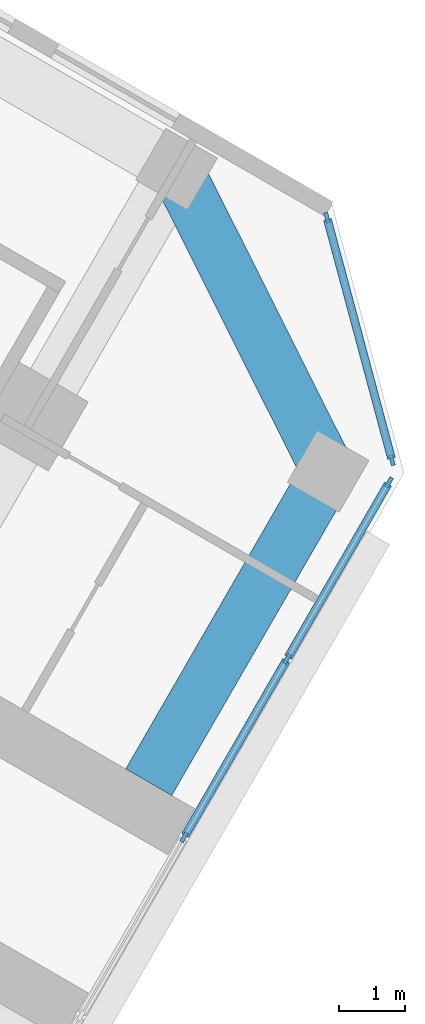
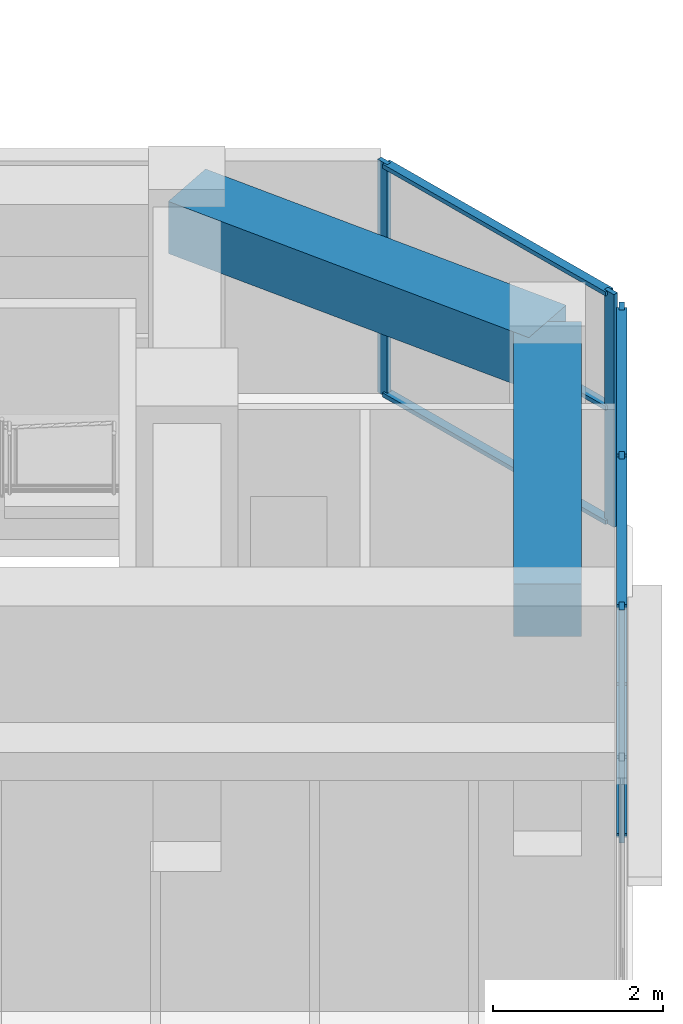
# One storey, part 8 of 19: 12 members, 2 beams, 2 elements without a shape of their own.
"""IFC4 building model written with IfcOpenShell, lengths in metres."""

from ifc_helpers import new_model, si_unit, direction, frame, origin, origin_2d, place, context, subcontext, project, spatial, rectangle, extrude, material, material_profile, profile_set, type_object, element, aggregate, save


model = new_model("IFC4")

# Units and contexts
model_context = context("Model", 3, precision=1e-05, world=origin(), true_north=direction((0.0, 1.0)))
body_context = subcontext(model_context, "Body", "Model", "MODEL_VIEW")
ifc_project = project(units=[si_unit("LENGTHUNIT", "METRE"), si_unit("AREAUNIT", "SQUARE_METRE"), si_unit("VOLUMEUNIT", "CUBIC_METRE"), si_unit("PLANEANGLEUNIT", "RADIAN"), si_unit("MASSUNIT", "GRAM", prefix="KILO")], contexts=[model_context])

# Site, building, storey
site_placement = place(None, origin())
site = spatial("IfcSite", under=ifc_project, at=site_placement, CompositionType="ELEMENT")
building_placement = place(site_placement, origin())
building = spatial("IfcBuilding", under=site, at=building_placement, Name="Kosmar Iwan School Tower", CompositionType="ELEMENT")
storey_placement = place(building_placement, frame((0.0, 0.0, 165.199951171875)))
storey = spatial("IfcBuildingStorey", under=building, at=storey_placement, Name="L41", CompositionType="ELEMENT", Elevation=165.199951171875)

# Curtain wall, members
ifc_material_1 = material(Name="Dark glass in black aluminium frame", Category="aluminium")
curtain_wall_type_1 = type_object("IfcCurtainWallType", Name="Tower curtain wall dark glass", PredefinedType="USERDEFINED", material=ifc_material_1)
curtain_wall_1_placement = place(storey_placement, origin())
curtain_wall_1 = element("IfcCurtainWall", 1, at=curtain_wall_1_placement, inside=storey, type_object=curtain_wall_type_1, Name="Curtain wall L41-F03", ObjectType="UNITISED CURTAIN WALL", PredefinedType="USERDEFINED")
ifc_material_2 = material(Name="Black anodised aluminium", Category="aluminium")
ifc_material_profile_1 = material_profile(ifc_material_2, rectangle(XDim=0.06005859375, YDim=0.159912109375, at=origin_2d()), Name="MULLION 60x160")
ifc_profile_set_1 = profile_set([ifc_material_profile_1], Name="Black anodised aluminium")
member_type_1 = type_object("IfcMemberType", Name="Mullion 60x160", PredefinedType="MULLION", material=ifc_profile_set_1)
member_1_placement = place(storey_placement, frame((30.631103515625, -15.8955078125, 0.0), z_axis=(0.0, 0.0, 1.0), x_axis=(-0.866025405329, 0.499999997325, 0.0)))
member_1 = element("IfcMember", 2, at=member_1_placement, type_object=member_type_1, Name="CW1 mullion 4", PredefinedType="MULLION", context=body_context, shape_type="SweptSolid", body=[
    extrude(rectangle(XDim=0.06005859375, YDim=0.159912109375, at=origin_2d()), origin(), (0.0, 0.0, 1.0), 3.35009765625),
])
member_2_placement = place(storey_placement, frame((32.1806640625, -13.21142578125, 0.0), z_axis=(0.0, 0.0, 1.0), x_axis=(-0.866025405329, 0.499999997325, 0.0)))
member_2 = element("IfcMember", 3, at=member_2_placement, type_object=member_type_1, Name="CW1 mullion 5", PredefinedType="MULLION", context=body_context, shape_type="SweptSolid", body=[
    extrude(rectangle(XDim=0.06005859375, YDim=0.159912109375, at=origin_2d()), origin(), (0.0, 0.0, 1.0), 3.35009765625),
])
member_3_placement = place(storey_placement, frame((33.71533203125, -10.55322265625, 0.0), z_axis=(0.0, 0.0, 1.0), x_axis=(-0.866025405329, 0.499999997325, 0.0)))
member_3 = element("IfcMember", 4, at=member_3_placement, type_object=member_type_1, Name="CW1 mullion 6", PredefinedType="MULLION", context=body_context, shape_type="SweptSolid", body=[
    extrude(rectangle(XDim=0.06005859375, YDim=0.159912109375, at=origin_2d()), origin(), (0.0, 0.0, 1.0), 3.35009765625),
])

ifc_material_3 = material(Name="Dark glass in black aluminium frame", Category="aluminium")
curtain_wall_type_2 = type_object("IfcCurtainWallType", Name="Chamfer curtain wall dark glass", PredefinedType="USERDEFINED", material=ifc_material_3)
curtain_wall_2_placement = place(storey_placement, origin())
curtain_wall_2 = element("IfcCurtainWall", 5, at=curtain_wall_2_placement, inside=storey, type_object=curtain_wall_type_2, Name="Curtain wall L41-F04", ObjectType="FACETED CURTAIN WALL", PredefinedType="USERDEFINED")
member_4_placement = place(storey_placement, frame((33.7587890625, -10.2236328125, 0.0), z_axis=(0.0, 0.0, 1.0), x_axis=(-0.965925875495, -0.258818861462, 0.0)))
member_4 = element("IfcMember", 6, at=member_4_placement, type_object=member_type_1, Name="CW2 mullion 1", PredefinedType="MULLION", context=body_context, shape_type="SweptSolid", body=[
    extrude(rectangle(XDim=0.06005859375, YDim=0.159912109375, at=origin_2d()), origin(), (0.0, 0.0, 1.0), 3.35009765625),
])
member_5_placement = place(storey_placement, frame((32.78076171875, -6.5732421875, 0.0), z_axis=(0.0, 0.0, 1.0), x_axis=(-0.965925875495, -0.258818861462, 0.0)))
member_5 = element("IfcMember", 7, at=member_5_placement, type_object=member_type_1, Name="CW2 mullion 2", PredefinedType="MULLION", context=body_context, shape_type="SweptSolid", body=[
    extrude(rectangle(XDim=0.06005859375, YDim=0.159912109375, at=origin_2d()), origin(), (0.0, 0.0, 1.0), 3.35009765625),
])

# Beams
ifc_material_4 = material(Name="Concrete C50/60", Category="concrete")
ifc_material_profile_2 = material_profile(ifc_material_4, rectangle(XDim=0.800048828125, YDim=0.75, at=origin_2d()), Name="RC 800x750")
ifc_profile_set_2 = profile_set([ifc_material_profile_2], Name="Concrete C50/60")
beam_type = type_object("IfcBeamType", Name="RC tip beam 800x750", PredefinedType="BEAM", material=ifc_profile_set_2)
beam_1_placement = place(storey_placement, frame((30.517822265625, -5.841552734375, 2.97509765625), z_axis=(0.44809604203, -0.893985423325, 0.0), x_axis=(0.893985423325, 0.44809604203, 0.0)))
element("IfcBeam", 8, at=beam_1_placement, inside=storey, type_object=beam_type, Name="Tip beam CL", PredefinedType="BEAM", context=body_context, shape_type="SweptSolid", body=[
    extrude(rectangle(XDim=0.800048828125, YDim=0.75, at=origin_2d()), origin(), (0.0, 0.0, 1.0), 5.08935546875),
])
beam_2_placement = place(storey_placement, frame((32.79833984375, -10.391357421875, 2.97509765625), z_axis=(-0.499995103361, -0.866028230842, 0.0), x_axis=(0.866028230842, -0.499995103361, 0.0)))
element("IfcBeam", 9, at=beam_2_placement, inside=storey, type_object=beam_type, Name="Tip beam CL to corridor wall", PredefinedType="BEAM", context=body_context, shape_type="SweptSolid", body=[
    extrude(rectangle(XDim=0.800048828125, YDim=0.75, at=origin_2d()), origin(), (0.0, 0.0, 1.0), 5.39990234375),
])

# Member
ifc_material_5 = material(Name="Black anodised aluminium", Category="aluminium")
ifc_material_profile_3 = material_profile(ifc_material_5, rectangle(XDim=0.1201171875, YDim=0.06005859375, at=origin_2d()), Name="TRANSOM 60x120")
ifc_profile_set_3 = profile_set([ifc_material_profile_3], Name="Black anodised aluminium")
member_type_2 = type_object("IfcMemberType", Name="Transom 60x120", PredefinedType="USERDEFINED", material=ifc_profile_set_3)
member_6_placement = place(storey_placement, frame((30.64599609375, -15.869384765625, 0.030029296875), z_axis=(0.500035348339, 0.866004994449, 0.0), x_axis=(-0.866004994449, 0.500035348339, 0.0)))
member_6 = element("IfcMember", 10, at=member_6_placement, type_object=member_type_2, Name="CW1 transom 4.1", ObjectType="TRANSOM", PredefinedType="USERDEFINED", context=body_context, shape_type="SweptSolid", body=[
    extrude(rectangle(XDim=0.1201171875, YDim=0.06005859375, at=origin_2d()), origin(), (0.0, 0.0, 1.0), 3.039306640625),
])

member_7_placement = place(storey_placement, frame((30.64599609375, -15.869384765625, 3.320068359375), z_axis=(0.500035348339, 0.866004994449, 0.0), x_axis=(-0.866004994449, 0.500035348339, 0.0)))
member_7 = element("IfcMember", 11, at=member_7_placement, type_object=member_type_2, Name="CW1 transom 4.2", ObjectType="TRANSOM", PredefinedType="USERDEFINED", context=body_context, shape_type="SweptSolid", body=[
    extrude(rectangle(XDim=0.1201171875, YDim=0.06005859375, at=origin_2d()), origin(), (0.0, 0.0, 1.0), 3.039306640625),
])

member_8_placement = place(storey_placement, frame((32.19580078125, -13.185302734375, 0.030029296875), z_axis=(0.500022102064, 0.866012642776, 0.0), x_axis=(-0.866012642776, 0.500022102064, 0.0)))
member_8 = element("IfcMember", 12, at=member_8_placement, type_object=member_type_2, Name="CW1 transom 5.1", ObjectType="TRANSOM", PredefinedType="USERDEFINED", context=body_context, shape_type="SweptSolid", body=[
    extrude(rectangle(XDim=0.1201171875, YDim=0.06005859375, at=origin_2d()), origin(), (0.0, 0.0, 1.0), 3.009033203125),
])

member_9_placement = place(storey_placement, frame((32.19580078125, -13.185302734375, 3.320068359375), z_axis=(0.500022102064, 0.866012642776, 0.0), x_axis=(-0.866012642776, 0.500022102064, 0.0)))
member_9 = element("IfcMember", 13, at=member_9_placement, type_object=member_type_2, Name="CW1 transom 5.2", ObjectType="TRANSOM", PredefinedType="USERDEFINED", context=body_context, shape_type="SweptSolid", body=[
    extrude(rectangle(XDim=0.1201171875, YDim=0.06005859375, at=origin_2d()), origin(), (0.0, 0.0, 1.0), 3.009033203125),
])

aggregate(curtain_wall_1, [member_1, member_2, member_3, member_6, member_7, member_8, member_9])

member_10_placement = place(storey_placement, frame((33.7509765625, -10.194580078125, 0.030029296875), z_axis=(-0.258843273983, 0.965919333854, 0.0), x_axis=(-0.965919333854, -0.258843273983, 0.0)))
member_10 = element("IfcMember", 14, at=member_10_placement, type_object=member_type_2, Name="CW2 transom 1.1", ObjectType="TRANSOM", PredefinedType="USERDEFINED", context=body_context, shape_type="SweptSolid", body=[
    extrude(rectangle(XDim=0.1201171875, YDim=0.06005859375, at=origin_2d()), origin(), (0.0, 0.0, 1.0), 3.718994140625),
])

member_11_placement = place(storey_placement, frame((33.7509765625, -10.194580078125, 1.675048828125), z_axis=(-0.258843273983, 0.965919333854, 0.0), x_axis=(-0.965919333854, -0.258843273983, 0.0)))
member_11 = element("IfcMember", 15, at=member_11_placement, type_object=member_type_2, Name="CW2 transom 1.2", ObjectType="TRANSOM", PredefinedType="USERDEFINED", context=body_context, shape_type="SweptSolid", body=[
    extrude(rectangle(XDim=0.1201171875, YDim=0.06005859375, at=origin_2d()), origin(), (0.0, 0.0, 1.0), 3.718994140625),
])

member_12_placement = place(storey_placement, frame((33.7509765625, -10.194580078125, 3.320068359375), z_axis=(-0.258843273983, 0.965919333854, 0.0), x_axis=(-0.965919333854, -0.258843273983, 0.0)))
member_12 = element("IfcMember", 16, at=member_12_placement, type_object=member_type_2, Name="CW2 transom 1.3", ObjectType="TRANSOM", PredefinedType="USERDEFINED", context=body_context, shape_type="SweptSolid", body=[
    extrude(rectangle(XDim=0.1201171875, YDim=0.06005859375, at=origin_2d()), origin(), (0.0, 0.0, 1.0), 3.718994140625),
])

aggregate(curtain_wall_2, [member_4, member_5, member_10, member_11, member_12])

save(model, "model.ifc")
